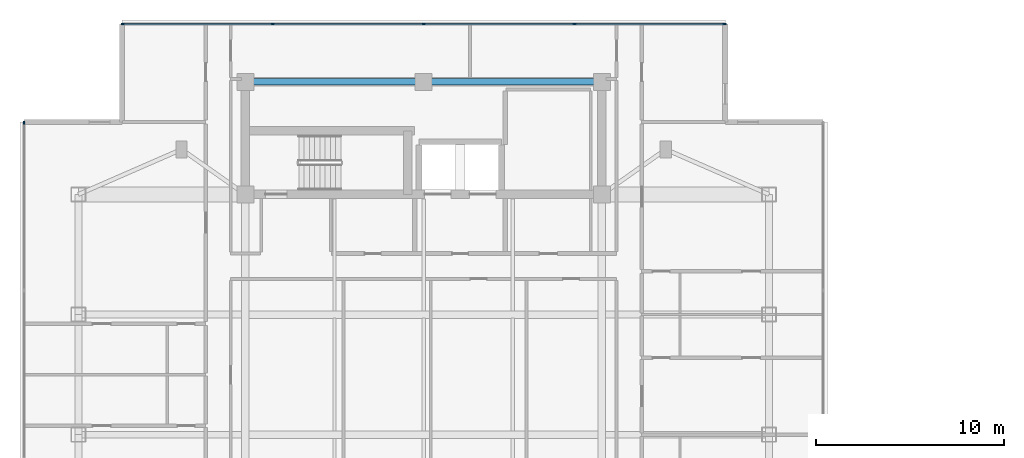
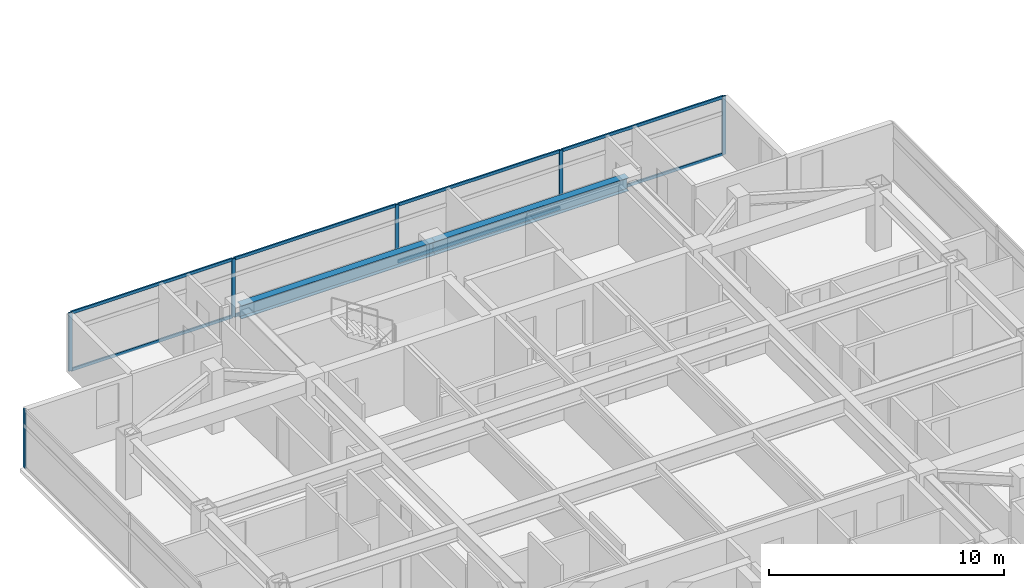
# One storey, part 6 of 21: 14 members, 2 beams, 2 elements without a shape of their own.
"""IFC4 building model written with IfcOpenShell, lengths in metres."""

from ifc_helpers import new_model, si_unit, direction, frame, origin, origin_2d, place, context, subcontext, project, spatial, rectangle, i_section, extrude, material, material_profile, profile_set, type_object, element, aggregate, save


model = new_model("IFC4")

# Units and contexts
model_context = context("Model", 3, precision=1e-05, world=origin(), true_north=direction((0.0, 1.0)))
body_context = subcontext(model_context, "Body", "Model", "MODEL_VIEW")
ifc_project = project(units=[si_unit("LENGTHUNIT", "METRE"), si_unit("AREAUNIT", "SQUARE_METRE"), si_unit("VOLUMEUNIT", "CUBIC_METRE"), si_unit("PLANEANGLEUNIT", "RADIAN"), si_unit("MASSUNIT", "GRAM", prefix="KILO")], contexts=[model_context])

# Site, building, storey
site_placement = place(None, origin())
site = spatial("IfcSite", under=ifc_project, at=site_placement, CompositionType="ELEMENT")
building_placement = place(site_placement, origin())
building = spatial("IfcBuilding", under=site, at=building_placement, Name="Mirazonda Arch Towers", CompositionType="ELEMENT")
storey_placement = place(building_placement, frame((0.0, 0.0, 206.39990234375)))
storey = spatial("IfcBuildingStorey", under=building, at=storey_placement, Name="L59", CompositionType="ELEMENT", Elevation=206.39990234375)

# Beams
ifc_material_1 = material(Name="Steel ASTM A992 Grade 50", Category="steel")
ifc_material_profile_1 = material_profile(ifc_material_1, i_section(OverallWidth=0.35498046875, OverallDepth=0.696044921875, WebThickness=0.015380859375, FlangeThickness=0.02490234375, at=origin_2d()), Name="W27X146")
ifc_profile_set_1 = profile_set([ifc_material_profile_1], Name="Steel ASTM A992 Grade 50")
beam_type = type_object("IfcBeamType", Name="BM-INT-W27X146", PredefinedType="BEAM", material=ifc_profile_set_1)
for number, where, z_axis, x_axis, name in (
    (1, (11.0, 43.60009765625, 2.7021484375), (1.0, 0.0, 0.0), (0.0, 1.0, 0.0), "L59 Floor Beam BM-T1-L59-CN1"),
    (2, (20.5, 43.60009765625, 2.7021484375), (1.0, 0.0, 0.0), (0.0, 1.0, 0.0), "L59 Floor Beam BM-T1-L59-CN2"),
):
    element("IfcBeam", number, at=place(storey_placement, frame(where, z_axis=z_axis, x_axis=x_axis)), inside=storey, type_object=beam_type, Name=name, PredefinedType="BEAM", context=body_context, shape_type="SweptSolid", body=[
        extrude(i_section(OverallWidth=0.35498046875, OverallDepth=0.696044921875, WebThickness=0.015380859375, FlangeThickness=0.02490234375, at=origin_2d()), origin(), (0.0, 0.0, 1.0), 9.5),
    ])

# Curtain wall, members
ifc_material_2 = material(Name="Anodised Aluminium and Low-E Glass", Category="aluminium")
curtain_wall_type = type_object("IfcCurtainWallType", Name="CW-RES-UNIT", PredefinedType="NOTDEFINED", material=ifc_material_2)
curtain_wall_1_placement = place(storey_placement, origin())
curtain_wall_1 = element("IfcCurtainWall", 3, at=curtain_wall_1_placement, inside=storey, type_object=curtain_wall_type, Name="L59 T1 N Facade CW-L59-T1-N", PredefinedType="NOTDEFINED")
ifc_material_3 = material(Name="Anodised Aluminium Alloy", Category="aluminium")
ifc_material_profile_2 = material_profile(ifc_material_3, rectangle(XDim=0.074951171875, YDim=0.175048828125, at=origin_2d()), Name="ALU-MULL-75x175")
ifc_profile_set_2 = profile_set([ifc_material_profile_2], Name="Anodised Aluminium Alloy")
member_type_1 = type_object("IfcMemberType", Name="MULL-CW-RES-UNIT", PredefinedType="MULLION", material=ifc_profile_set_2)
member_1_placement = place(storey_placement, frame((4.46240234375, 46.676025390625, 0.0), z_axis=(0.0, 0.0, 1.0), x_axis=(0.0, 1.0, 0.0)))
member_1 = element("IfcMember", 4, at=member_1_placement, type_object=member_type_1, Name="CW-104 mullion 1", PredefinedType="MULLION", context=body_context, shape_type="SweptSolid", body=[
    extrude(rectangle(XDim=0.074951171875, YDim=0.175048828125, at=origin_2d()), origin(), (0.0, 0.0, 1.0), 3.030029296875),
])
member_2_placement = place(storey_placement, frame((12.46240234375, 46.676025390625, 0.0), z_axis=(0.0, 0.0, 1.0), x_axis=(0.0, 1.0, 0.0)))
member_2 = element("IfcMember", 5, at=member_2_placement, type_object=member_type_1, Name="CW-104 mullion 2", PredefinedType="MULLION", context=body_context, shape_type="SweptSolid", body=[
    extrude(rectangle(XDim=0.074951171875, YDim=0.175048828125, at=origin_2d()), origin(), (0.0, 0.0, 1.0), 3.030029296875),
])
member_3_placement = place(storey_placement, frame((20.5, 46.676025390625, 0.0), z_axis=(0.0, 0.0, 1.0), x_axis=(0.0, 1.0, 0.0)))
member_3 = element("IfcMember", 6, at=member_3_placement, type_object=member_type_1, Name="CW-104 mullion 3", PredefinedType="MULLION", context=body_context, shape_type="SweptSolid", body=[
    extrude(rectangle(XDim=0.074951171875, YDim=0.175048828125, at=origin_2d()), origin(), (0.0, 0.0, 1.0), 3.030029296875),
])
member_4_placement = place(storey_placement, frame((28.53759765625, 46.676025390625, 0.0), z_axis=(0.0, 0.0, 1.0), x_axis=(0.0, 1.0, 0.0)))
member_4 = element("IfcMember", 7, at=member_4_placement, type_object=member_type_1, Name="CW-104 mullion 4", PredefinedType="MULLION", context=body_context, shape_type="SweptSolid", body=[
    extrude(rectangle(XDim=0.074951171875, YDim=0.175048828125, at=origin_2d()), origin(), (0.0, 0.0, 1.0), 3.030029296875),
])
member_5_placement = place(storey_placement, frame((36.53759765625, 46.676025390625, 0.0), z_axis=(0.0, 0.0, 1.0), x_axis=(0.0, 1.0, 0.0)))
member_5 = element("IfcMember", 8, at=member_5_placement, type_object=member_type_1, Name="CW-104 mullion 5", PredefinedType="MULLION", context=body_context, shape_type="SweptSolid", body=[
    extrude(rectangle(XDim=0.074951171875, YDim=0.175048828125, at=origin_2d()), origin(), (0.0, 0.0, 1.0), 3.030029296875),
])

# Curtain wall, member
curtain_wall_2_placement = place(storey_placement, origin())
curtain_wall_2 = element("IfcCurtainWall", 9, at=curtain_wall_2_placement, inside=storey, type_object=curtain_wall_type, Name="L59 T1 W Facade CW-L59-T1-W", PredefinedType="NOTDEFINED")
member_6_placement = place(storey_placement, frame((-0.7900390625, 41.423583984375, 0.0), z_axis=(0.0, 0.0, 1.0), x_axis=(1.0, 0.0, 0.0)))
member_6 = element("IfcMember", 10, at=member_6_placement, type_object=member_type_1, Name="CW-104 mullion 1", PredefinedType="MULLION", context=body_context, shape_type="SweptSolid", body=[
    extrude(rectangle(XDim=0.074951171875, YDim=0.175048828125, at=origin_2d()), origin(), (0.0, 0.0, 1.0), 3.030029296875),
])
aggregate(curtain_wall_2, [member_6])

# Member
ifc_material_profile_3 = material_profile(ifc_material_3, rectangle(XDim=0.074951171875, YDim=0.155029296875, at=origin_2d()), Name="ALU-TRAN-75x155")
ifc_profile_set_3 = profile_set([ifc_material_profile_3], Name="Anodised Aluminium Alloy")
member_type_2 = type_object("IfcMemberType", Name="TRAN-CW-RES-UNIT", PredefinedType="USERDEFINED", material=ifc_profile_set_3)
member_7_placement = place(storey_placement, frame((4.5, 46.676025390625, 0.03759765625), z_axis=(1.0, 0.0, 0.0), x_axis=(0.0, 1.0, 0.0)))
member_7 = element("IfcMember", 11, at=member_7_placement, type_object=member_type_2, Name="CW-104 transom 1.1", ObjectType="TRANSOM", PredefinedType="USERDEFINED", context=body_context, shape_type="SweptSolid", body=[
    extrude(rectangle(XDim=0.074951171875, YDim=0.155029296875, at=origin_2d()), origin(), (0.0, 0.0, 1.0), 7.925048828125),
])

member_8_placement = place(storey_placement, frame((4.5, 46.676025390625, 2.99267578125), z_axis=(1.0, 0.0, 0.0), x_axis=(0.0, 1.0, 0.0)))
member_8 = element("IfcMember", 12, at=member_8_placement, type_object=member_type_2, Name="CW-104 transom 1.2", ObjectType="TRANSOM", PredefinedType="USERDEFINED", context=body_context, shape_type="SweptSolid", body=[
    extrude(rectangle(XDim=0.074951171875, YDim=0.155029296875, at=origin_2d()), origin(), (0.0, 0.0, 1.0), 7.925048828125),
])

member_9_placement = place(storey_placement, frame((12.5, 46.676025390625, 0.03759765625), z_axis=(1.0, 0.0, 0.0), x_axis=(0.0, 1.0, 0.0)))
member_9 = element("IfcMember", 13, at=member_9_placement, type_object=member_type_2, Name="CW-104 transom 2.1", ObjectType="TRANSOM", PredefinedType="USERDEFINED", context=body_context, shape_type="SweptSolid", body=[
    extrude(rectangle(XDim=0.074951171875, YDim=0.155029296875, at=origin_2d()), origin(), (0.0, 0.0, 1.0), 7.96240234375),
])

member_10_placement = place(storey_placement, frame((12.5, 46.676025390625, 2.99267578125), z_axis=(1.0, 0.0, 0.0), x_axis=(0.0, 1.0, 0.0)))
member_10 = element("IfcMember", 14, at=member_10_placement, type_object=member_type_2, Name="CW-104 transom 2.2", ObjectType="TRANSOM", PredefinedType="USERDEFINED", context=body_context, shape_type="SweptSolid", body=[
    extrude(rectangle(XDim=0.074951171875, YDim=0.155029296875, at=origin_2d()), origin(), (0.0, 0.0, 1.0), 7.96240234375),
])

member_11_placement = place(storey_placement, frame((20.53759765625, 46.676025390625, 0.03759765625), z_axis=(1.0, 0.0, 0.0), x_axis=(0.0, 1.0, 0.0)))
member_11 = element("IfcMember", 15, at=member_11_placement, type_object=member_type_2, Name="CW-104 transom 3.1", ObjectType="TRANSOM", PredefinedType="USERDEFINED", context=body_context, shape_type="SweptSolid", body=[
    extrude(rectangle(XDim=0.074951171875, YDim=0.155029296875, at=origin_2d()), origin(), (0.0, 0.0, 1.0), 7.96240234375),
])

member_12_placement = place(storey_placement, frame((20.53759765625, 46.676025390625, 2.99267578125), z_axis=(1.0, 0.0, 0.0), x_axis=(0.0, 1.0, 0.0)))
member_12 = element("IfcMember", 16, at=member_12_placement, type_object=member_type_2, Name="CW-104 transom 3.2", ObjectType="TRANSOM", PredefinedType="USERDEFINED", context=body_context, shape_type="SweptSolid", body=[
    extrude(rectangle(XDim=0.074951171875, YDim=0.155029296875, at=origin_2d()), origin(), (0.0, 0.0, 1.0), 7.96240234375),
])

member_13_placement = place(storey_placement, frame((28.574951171875, 46.676025390625, 0.03759765625), z_axis=(1.0, 0.0, 0.0), x_axis=(0.0, 1.0, 0.0)))
member_13 = element("IfcMember", 17, at=member_13_placement, type_object=member_type_2, Name="CW-104 transom 4.1", ObjectType="TRANSOM", PredefinedType="USERDEFINED", context=body_context, shape_type="SweptSolid", body=[
    extrude(rectangle(XDim=0.074951171875, YDim=0.155029296875, at=origin_2d()), origin(), (0.0, 0.0, 1.0), 7.925048828125),
])

member_14_placement = place(storey_placement, frame((28.574951171875, 46.676025390625, 2.99267578125), z_axis=(1.0, 0.0, 0.0), x_axis=(0.0, 1.0, 0.0)))
member_14 = element("IfcMember", 18, at=member_14_placement, type_object=member_type_2, Name="CW-104 transom 4.2", ObjectType="TRANSOM", PredefinedType="USERDEFINED", context=body_context, shape_type="SweptSolid", body=[
    extrude(rectangle(XDim=0.074951171875, YDim=0.155029296875, at=origin_2d()), origin(), (0.0, 0.0, 1.0), 7.925048828125),
])

aggregate(curtain_wall_1, [member_1, member_2, member_3, member_4, member_5, member_7, member_8, member_9, member_10, member_11, member_12, member_13, member_14])

save(model, "model.ifc")
